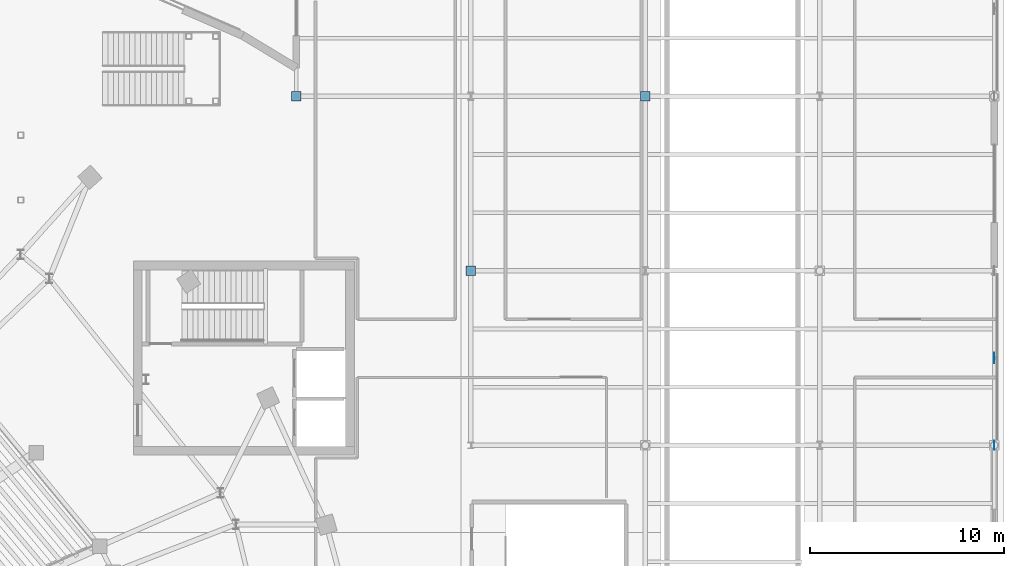
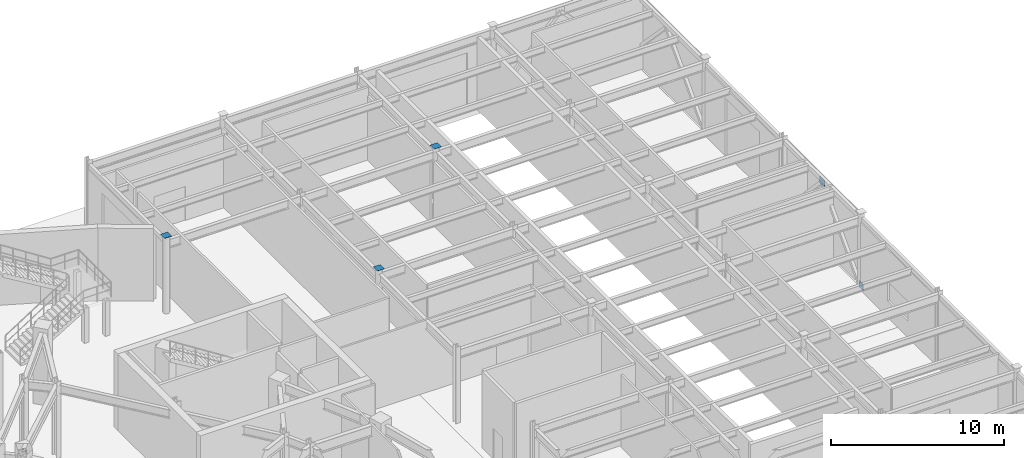
# One storey, part 68 of 79: 5 discrete accessories.
"""IFC4 building model written with IfcOpenShell, lengths in metres."""

from ifc_helpers import new_model, si_unit, direction, frame, origin, origin_2d, place, context, subcontext, project, spatial, rectangle, extrude, material, type_object, element, save


model = new_model("IFC4")

# Units and contexts
model_context = context("Model", 3, precision=1e-05, world=origin(), true_north=direction((0.0, 1.0)))
body_context = subcontext(model_context, "Body", "Model", "MODEL_VIEW")
ifc_project = project(units=[si_unit("LENGTHUNIT", "METRE"), si_unit("AREAUNIT", "SQUARE_METRE"), si_unit("VOLUMEUNIT", "CUBIC_METRE"), si_unit("PLANEANGLEUNIT", "RADIAN"), si_unit("MASSUNIT", "GRAM", prefix="KILO")], contexts=[model_context])

# Site, building, storey
site_placement = place(None, origin())
site = spatial("IfcSite", under=ifc_project, at=site_placement, CompositionType="ELEMENT")
building_placement = place(site_placement, origin())
building = spatial("IfcBuilding", under=site, at=building_placement, Name="Glasvene Arena", CompositionType="ELEMENT")
storey_placement = place(building_placement, origin())
storey = spatial("IfcBuildingStorey", under=building, at=storey_placement, Name="L00", CompositionType="ELEMENT", Elevation=0.0)

# Discrete accessories
ifc_material = material(Name="Steel S355J2", Category="steel")
discrete_accessory_type_1 = type_object("IfcDiscreteAccessoryType", Name="ACC-BRACE-GP20", PredefinedType="BRACKET", material=ifc_material)
discrete_accessory_1_placement = place(storey_placement, frame((174.0, 91.0, -0.070068359375), z_axis=(0.0, 0.0, 1.0), x_axis=(1.0, 0.0, 0.0)))
element("IfcDiscreteAccessory", 1, at=discrete_accessory_1_placement, inside=storey, type_object=discrete_accessory_type_1, Name="Chevron brace base gusset plate L00-001-A", PredefinedType="BRACKET", context=body_context, shape_type="SweptSolid", body=[
    extrude(rectangle(XDim=0.02001953125, YDim=0.47998046875, at=origin_2d()), origin(), (0.0, 0.0, 1.0), 0.47998046875),
])
discrete_accessory_2_placement = place(storey_placement, frame((174.0, 95.5, 4.530029296875), z_axis=(0.0, 0.0, 1.0), x_axis=(1.0, 0.0, 0.0)))
element("IfcDiscreteAccessory", 2, at=discrete_accessory_2_placement, inside=storey, type_object=discrete_accessory_type_1, Name="Chevron brace apex gusset plate L00-002", PredefinedType="BRACKET", context=body_context, shape_type="SweptSolid", body=[
    extrude(rectangle(XDim=0.02001953125, YDim=0.56005859375, at=origin_2d()), origin(), (0.0, 0.0, 1.0), 0.47998046875),
])
discrete_accessory_type_2 = type_object("IfcDiscreteAccessoryType", Name="ACC-CAP-CHS420", PredefinedType="USERDEFINED", material=ifc_material)
for number, where, z_axis, x_axis, name in (
    (3, (138.0, 109.0, 5.39794921875), (0.0, 0.0, 1.0), (1.0, 0.0, 0.0), "Hollow column top cap plate 16-13 L00"),
    (4, (147.0, 100.0, 5.39794921875), (0.0, 0.0, 1.0), (1.0, 0.0, 0.0), "Hollow column top cap plate 17-12 L00"),
    (5, (156.0, 109.0, 5.39794921875), (0.0, 0.0, 1.0), (1.0, 0.0, 0.0), "Hollow column top cap plate 18-13 L00"),
):
    element("IfcDiscreteAccessory", number, at=place(storey_placement, frame(where, z_axis=z_axis, x_axis=x_axis)), inside=storey, type_object=discrete_accessory_type_2, Name=name, ObjectType="CAP PLATE", PredefinedType="USERDEFINED", context=body_context, shape_type="SweptSolid", body=[
        extrude(rectangle(XDim=0.47998046875, YDim=0.47998046875, at=origin_2d()), origin(), (0.0, 0.0, 1.0), 0.02001953125),
    ])

save(model, "model.ifc")
